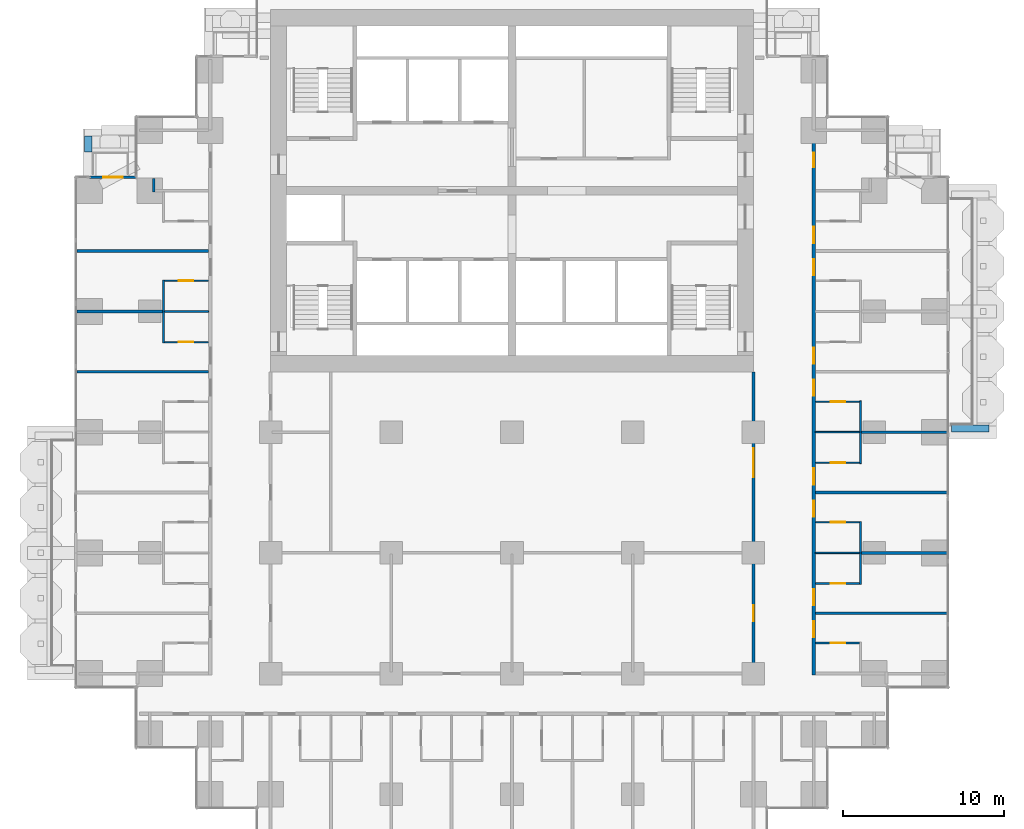
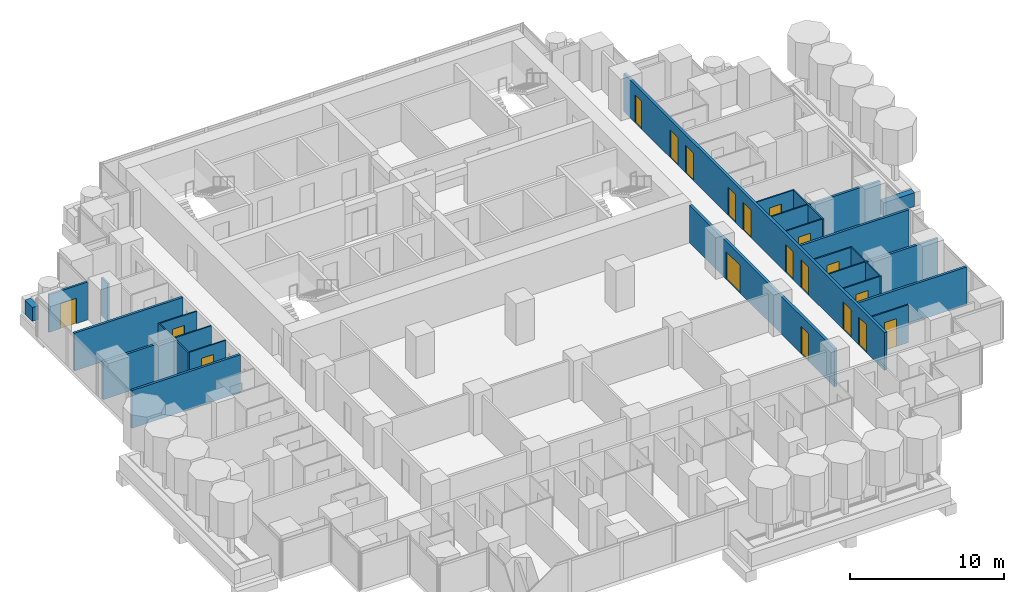
# One storey, part 13 of 19: 26 walls, 19 doors, 19 openings.
"""IFC4 building model written with IfcOpenShell, lengths in metres."""

import ifcopenshell
import ifcopenshell.guid

model = None  # the IFC model being written
_history = None  # IfcOwnerHistory: only IFC2X3 demands one
_inside = {}  # id of a spatial element -> (the spatial element, [elements in it])
_under = {}  # id of a project, library or spatial element -> (it, [spatial elements below it])
_declared = {}  # id of a project -> (the project, [libraries it declares])
_typed = {}  # id of a type object -> (the type object, [elements of that type])
_made_of = {}  # id of a material, layer set ... -> (it, [elements and type objects made of it])


def new_model(schema):
    """Start an empty IFC model of exactly this schema.

    Asked for "IFC4X3", IfcOpenShell would pick the latest addendum, in which some entities
    have other attributes; the version numbers below select the first issue.
    IFC2X3 requires an IfcOwnerHistory on every rooted entity: one is made here for all.
    """
    global model, _history
    if schema == "IFC4X3":
        model = ifcopenshell.file(schema_version=(4, 3, 0, 0))
    else:
        model = ifcopenshell.file(schema=schema)
    _inside.clear()
    _under.clear()
    _declared.clear()
    _typed.clear()
    _made_of.clear()
    _history = None
    if model.schema == "IFC2X3":
        org = make("IfcOrganization", Name="unknown")
        user = make(
            "IfcPersonAndOrganization",
            ThePerson=make("IfcPerson", FamilyName="unknown"),
            TheOrganization=org,
        )
        app = make(
            "IfcApplication",
            ApplicationDeveloper=org,
            Version="unknown",
            ApplicationFullName="unknown",
            ApplicationIdentifier="unknown",
        )
        _history = make(
            "IfcOwnerHistory",
            OwningUser=user,
            OwningApplication=app,
            ChangeAction="ADDED",
            CreationDate=0,
        )
    return model


def make(cls, **values):
    """One entity of the class cls with the attributes given. An attribute that is None is left unset."""
    return model.create_entity(
        cls, **{name: value for name, value in values.items() if value is not None}
    )


def rooted(cls, **values):
    """An entity with a GlobalId (a new one), such as an element, a storey or a relation."""
    return make(cls, GlobalId=ifcopenshell.guid.new(), OwnerHistory=_history, **values)


def si_unit(unit_type, name, prefix=None):
    """IfcSIUnit, for example si_unit("LENGTHUNIT", "METRE", prefix="MILLI")."""
    return make("IfcSIUnit", UnitType=unit_type, Prefix=prefix, Name=name)


def assignment(units):
    """IfcUnitAssignment: the units of a project."""
    return None if units is None else make("IfcUnitAssignment", Units=units)


def point(xyz):
    """IfcCartesianPoint."""
    return None if xyz is None else make("IfcCartesianPoint", Coordinates=xyz)


def direction(xyz):
    """IfcDirection."""
    return None if xyz is None else make("IfcDirection", DirectionRatios=xyz)


def frame(location, z_axis=None, x_axis=None):
    """IfcAxis2Placement3D, a coordinate frame: its origin and axes. An axis left out is left unset."""
    return make(
        "IfcAxis2Placement3D",
        Location=point(location),
        Axis=direction(z_axis),
        RefDirection=direction(x_axis),
    )


def frame_2d(location, x_axis=None):
    """IfcAxis2Placement2D, a coordinate frame in the plane: its origin and x axis."""
    return make(
        "IfcAxis2Placement2D", Location=point(location), RefDirection=direction(x_axis)
    )


def origin():
    """The frame at (0, 0, 0) with its axes left unset."""
    return frame((0.0, 0.0, 0.0))


def place(relative_to, where):
    """IfcLocalPlacement: puts the frame where relative to a parent placement (None: the world)."""
    return make(
        "IfcLocalPlacement", PlacementRelTo=relative_to, RelativePlacement=where
    )


def context(
    kind, dimensions, precision=None, world=None, true_north=None, identifier=None
):
    """IfcGeometricRepresentationContext, for example the 3D "Model" context."""
    return make(
        "IfcGeometricRepresentationContext",
        ContextIdentifier=identifier,
        ContextType=kind,
        CoordinateSpaceDimension=dimensions,
        Precision=precision,
        WorldCoordinateSystem=world,
        TrueNorth=true_north,
    )


def subcontext(parent, identifier, kind, view, scale=None):
    """IfcGeometricRepresentationSubContext, for example "Body" below "Model"."""
    return make(
        "IfcGeometricRepresentationSubContext",
        ContextIdentifier=identifier,
        ContextType=kind,
        ParentContext=parent,
        TargetScale=scale,
        TargetView=view,
    )


def project(units=None, contexts=None):
    """IfcProject with its units and contexts."""
    return rooted(
        "IfcProject",
        Name="project",
        RepresentationContexts=contexts,
        UnitsInContext=assignment(units),
    )


def spatial(cls, under=None, at=None, **own):
    """A site, building, storey or space (cls), placed at a placement, below another one or the project."""
    s = rooted(cls, ObjectPlacement=at, **own)
    if under is not None:
        _under.setdefault(under.id(), (under, []))[1].append(s)
    return s


def profile(cls, at=None, kind="AREA", **sizes):
    """A parametric profile (cls). Its sizes go by their IFC names, for example OverallWidth=200.0."""
    return make(cls, ProfileType=kind, Position=at, **sizes)


def rectangle(**sizes):
    """IfcRectangleProfileDef."""
    return profile("IfcRectangleProfileDef", **sizes)


def extrude(swept, where, along, depth):
    """IfcExtrudedAreaSolid: the profile swept, set in the frame where, extruded along a direction by depth."""
    return make(
        "IfcExtrudedAreaSolid",
        SweptArea=swept,
        Position=where,
        ExtrudedDirection=direction(along),
        Depth=depth,
    )


def shape(context_of_items, identifier, shape_type, items):
    """IfcShapeRepresentation: the items that make up one representation, for example the "Body"."""
    return make(
        "IfcShapeRepresentation",
        ContextOfItems=context_of_items,
        RepresentationIdentifier=identifier,
        RepresentationType=shape_type,
        Items=items,
    )


def material(Name=None, Category=None):
    """IfcMaterial."""
    return make("IfcMaterial", Name=Name, Category=Category)


def layer(
    of_material, thickness, ventilated=None, Name=None, Category=None, Priority=None
):
    """IfcMaterialLayer: one layer of a wall or slab, of a material (None: an air gap)."""
    return make(
        "IfcMaterialLayer",
        Material=of_material,
        LayerThickness=thickness,
        IsVentilated=ventilated,
        Name=Name,
        Category=Category,
        Priority=Priority,
    )


def layer_set(layers, Name=None):
    """IfcMaterialLayerSet."""
    return make("IfcMaterialLayerSet", MaterialLayers=layers, LayerSetName=Name)


def made_of(thing, what):
    """Note that an element or type object is made of a material, layer set ...; save() writes the relation."""
    if what is not None:
        _made_of.setdefault(what.id(), (what, []))[1].append(thing)
    return thing


def type_object(cls, material=None, **own):
    """A type object (cls), such as IfcWallType, which elements share."""
    return made_of(rooted(cls, **own), material)


def element(
    cls,
    number,
    at=None,
    inside=None,
    cuts=None,
    type_object=None,
    material=None,
    context=None,
    identifier="Body",
    shape_type=None,
    held_by="IfcProductDefinitionShape",
    body=None,
    shapes=None,
    **own,
):
    """One element of the class cls, such as IfcWall. Its Tag is "e" and its number.

    at: its placement. inside: the storey or other place that contains it. cuts: it is an
    opening in that element (IfcRelVoidsElement). A single representation is given by context,
    identifier, shape_type and body (its items); several are given by shapes. held_by: the class
    of the entity that holds the representations. save() writes the other relations.
    """
    e = rooted(cls, Tag="e%d" % number, ObjectPlacement=at, **own)
    if body is not None:
        shapes = [shape(context, identifier, shape_type, body)]
    if shapes is not None:
        e.Representation = make(held_by, Representations=shapes)
    if inside is not None:
        _inside.setdefault(inside.id(), (inside, []))[1].append(e)
    if cuts is not None:
        rooted(
            "IfcRelVoidsElement", RelatingBuildingElement=cuts, RelatedOpeningElement=e
        )
    if type_object is not None:
        _typed.setdefault(type_object.id(), (type_object, []))[1].append(e)
    return made_of(e, material)


def fill(opening, filler):
    """IfcRelFillsElement: the door or window that sits in an opening."""
    return rooted(
        "IfcRelFillsElement",
        RelatingOpeningElement=opening,
        RelatedBuildingElement=filler,
    )


def aggregate(whole, parts):
    """IfcRelAggregates: a whole, such as a stair, and the parts it consists of."""
    return rooted("IfcRelAggregates", RelatingObject=whole, RelatedObjects=parts)


def save(model, path):
    """Write the relations noted so far, then the file.

    IfcRelAggregates (storeys below a building ...), IfcRelContainedInSpatialStructure (elements
    in a storey), IfcRelDefinesByType, IfcRelAssociatesMaterial and IfcRelDeclares: one each for
    every whole, place, type object, material and project.
    """
    for whole, parts in _under.values():
        aggregate(whole, parts)
    for where, things in _inside.values():
        rooted(
            "IfcRelContainedInSpatialStructure",
            RelatedElements=things,
            RelatingStructure=where,
        )
    for kind, things in _typed.values():
        rooted("IfcRelDefinesByType", RelatedObjects=things, RelatingType=kind)
    for what, things in _made_of.values():
        rooted("IfcRelAssociatesMaterial", RelatedObjects=things, RelatingMaterial=what)
    for by, libraries in _declared.values():
        rooted("IfcRelDeclares", RelatingContext=by, RelatedDefinitions=libraries)
    model.write(path)


model = new_model("IFC4")

# Units and contexts
model_context = context("Model", 3, precision=1e-05, world=origin(), true_north=direction((0.0, 1.0)))
body_context = subcontext(model_context, "Body", "Model", "MODEL_VIEW")
ifc_project = project(units=[si_unit("LENGTHUNIT", "METRE"), si_unit("AREAUNIT", "SQUARE_METRE"), si_unit("VOLUMEUNIT", "CUBIC_METRE"), si_unit("PLANEANGLEUNIT", "RADIAN"), si_unit("MASSUNIT", "GRAM", prefix="KILO")], contexts=[model_context])

# Site, building, storey
site_placement = place(None, origin())
site = spatial("IfcSite", under=ifc_project, at=site_placement, CompositionType="ELEMENT")
building_placement = place(site_placement, origin())
building = spatial("IfcBuilding", under=site, at=building_placement, Name="Pilkhan Gate Tower", CompositionType="ELEMENT")
storey_placement = place(building_placement, frame((0.0, 0.0, 39.5)))
storey = spatial("IfcBuildingStorey", under=building, at=storey_placement, Name="L06", CompositionType="ELEMENT", Elevation=39.5)

# Walls
ifc_material_1 = material(Name="Dense blockwork", Category="masonry")
ifc_layer_1 = layer(ifc_material_1, 0.175048828125)
ifc_layer_set_1 = layer_set([ifc_layer_1], Name="Acoustic party wall PW175")
wall_type_1 = type_object("IfcWallType", Name="Acoustic party wall PW175", PredefinedType="PARTITIONING", material=ifc_layer_set_1)
wall_1_placement = place(storey_placement, frame((93.85009765625, 56.25, 0.0), z_axis=(0.0, 0.0, 1.0), x_axis=(1.0, 0.0, 0.0)))
element("IfcWall", 1, at=wall_1_placement, inside=storey, type_object=wall_type_1, Name="Partition L06", PredefinedType="PARTITIONING", context=body_context, shape_type="SweptSolid", body=[
    extrude(rectangle(XDim=8.164794921875, YDim=0.175048828125, at=frame_2d((4.08251953125, 0.0))), origin(), (0.0, 0.0, 1.0), 3.0),
])
wall_2_placement = place(storey_placement, frame((96.699951171875, 60.0, 0.0), z_axis=(0.0, 0.0, 1.0), x_axis=(1.0, 0.0, 0.0)))
element("IfcWall", 2, at=wall_2_placement, inside=storey, type_object=wall_type_1, Name="Partition L06", PredefinedType="PARTITIONING", context=body_context, shape_type="SweptSolid", body=[
    extrude(rectangle(XDim=5.31494140625, YDim=0.175048828125, at=frame_2d((2.657470703125, 0.0))), origin(), (0.0, 0.0, 1.0), 3.0),
])
wall_3_placement = place(storey_placement, frame((93.85009765625, 63.75, 0.0), z_axis=(0.0, 0.0, 1.0), x_axis=(1.0, 0.0, 0.0)))
element("IfcWall", 3, at=wall_3_placement, inside=storey, type_object=wall_type_1, Name="Partition L06", PredefinedType="PARTITIONING", context=body_context, shape_type="SweptSolid", body=[
    extrude(rectangle(XDim=8.164794921875, YDim=0.175048828125, at=frame_2d((4.08251953125, 0.0))), origin(), (0.0, 0.0, 1.0), 3.0),
])
wall_4_placement = place(storey_placement, frame((96.699951171875, 67.5, 0.0), z_axis=(0.0, 0.0, 1.0), x_axis=(1.0, 0.0, 0.0)))
element("IfcWall", 4, at=wall_4_placement, inside=storey, type_object=wall_type_1, Name="Partition L06", PredefinedType="PARTITIONING", context=body_context, shape_type="SweptSolid", body=[
    extrude(rectangle(XDim=5.31494140625, YDim=0.175048828125, at=frame_2d((2.657470703125, 0.0))), origin(), (0.0, 0.0, 1.0), 3.0),
])
wall_5_placement = place(storey_placement, frame((47.985107421875, 71.25, 0.0), z_axis=(0.0, 0.0, 1.0), x_axis=(1.0, 0.0, 0.0)))
element("IfcWall", 5, at=wall_5_placement, inside=storey, type_object=wall_type_1, Name="Partition L06", PredefinedType="PARTITIONING", context=body_context, shape_type="SweptSolid", body=[
    extrude(rectangle(XDim=8.164794921875, YDim=0.175048828125, at=frame_2d((4.08251953125, 0.0))), origin(), (0.0, 0.0, 1.0), 3.0),
])
wall_6_placement = place(storey_placement, frame((47.985107421875, 75.0, 0.0), z_axis=(0.0, 0.0, 1.0), x_axis=(1.0, 0.0, 0.0)))
element("IfcWall", 6, at=wall_6_placement, inside=storey, type_object=wall_type_1, Name="Partition L06", PredefinedType="PARTITIONING", context=body_context, shape_type="SweptSolid", body=[
    extrude(rectangle(XDim=5.31494140625, YDim=0.175048828125, at=frame_2d((2.657470703125, 0.0))), origin(), (0.0, 0.0, 1.0), 3.0),
])
wall_7_placement = place(storey_placement, frame((47.985107421875, 78.75, 0.0), z_axis=(0.0, 0.0, 1.0), x_axis=(1.0, 0.0, 0.0)))
element("IfcWall", 7, at=wall_7_placement, inside=storey, type_object=wall_type_1, Name="Partition L06", PredefinedType="PARTITIONING", context=body_context, shape_type="SweptSolid", body=[
    extrude(rectangle(XDim=8.164794921875, YDim=0.175048828125, at=frame_2d((4.08251953125, 0.0))), origin(), (0.0, 0.0, 1.0), 3.0),
])
ifc_material_2 = material(Name="Board-marked Concrete C40/50", Category="concrete")
ifc_layer_2 = layer(ifc_material_2, 0.449951171875)
ifc_layer_set_2 = layer_set([ifc_layer_2], Name="Balcony planter lip BL450")
wall_type_2 = type_object("IfcWallType", Name="Balcony planter lip BL450", PredefinedType="USERDEFINED", material=ifc_layer_set_2)
wall_8_placement = place(storey_placement, frame((102.320068359375, 67.72509765625, 0.0), z_axis=(0.0, 0.0, 1.0), x_axis=(1.0, 0.0, 0.0)))
element("IfcWall", 8, at=wall_8_placement, inside=storey, type_object=wall_type_2, Name="Balcony planter L06 E", ObjectType="BALCONY PLANTER", PredefinedType="USERDEFINED", context=body_context, shape_type="SweptSolid", body=[
    extrude(rectangle(XDim=2.329833984375, YDim=0.449951171875, at=frame_2d((1.1650390625, 0.0))), origin(), (0.0, 0.0, 1.0), 1.10009765625),
])
wall_9_placement = place(storey_placement, frame((48.675048828125, 84.89990234375, 0.0), z_axis=(0.0, 0.0, 1.0), x_axis=(0.0, 1.0, 0.0)))
element("IfcWall", 9, at=wall_9_placement, inside=storey, type_object=wall_type_2, Name="Balcony planter L06 N", ObjectType="BALCONY PLANTER", PredefinedType="USERDEFINED", context=body_context, shape_type="SweptSolid", body=[
    extrude(rectangle(XDim=1.0, YDim=0.449951171875, at=frame_2d((0.5, 0.0))), origin(), (0.0, 0.0, 1.0), 1.10009765625),
])

# Wall, openings, doors
ifc_layer_3 = layer(ifc_material_1, 0.199951171875)
ifc_layer_set_3 = layer_set([ifc_layer_3], Name="Corridor wall FW200")
wall_type_3 = type_object("IfcWallType", Name="Corridor wall FW200", PredefinedType="PARTITIONING", material=ifc_layer_set_3)
wall_10_placement = place(storey_placement, frame((90.0, 52.39990234375, 0.0), z_axis=(0.0, 0.0, 1.0), x_axis=(0.0, 1.0, 0.0)))
wall_10 = element("IfcWall", 10, at=wall_10_placement, inside=storey, type_object=wall_type_3, Name="Partition L06", PredefinedType="PARTITIONING", context=body_context, shape_type="SweptSolid", body=[
    extrude(rectangle(XDim=18.840087890625, YDim=0.199951171875, at=frame_2d((9.419921875, 0.0))), origin(), (0.0, 0.0, 1.0), 3.0),
])
opening_1_placement = place(wall_10_placement, frame((3.35009765625, 0.0, 0.0)))
opening_1 = element("IfcOpeningElement", 11, at=opening_1_placement, cuts=wall_10, Name="Opening L06-70", PredefinedType="OPENING", context=body_context, shape_type="SweptSolid", body=[
    extrude(rectangle(XDim=1.0, YDim=2.199951171875, at=frame_2d((0.5, 1.10009765625))), frame((0.0, 0.10986328125, 0.0), z_axis=(0.0, -1.0, 0.0), x_axis=(1.0, 0.0, 0.0)), (0.0, 0.0, 1.0), 0.219970703125),
])
opening_2_placement = place(wall_10_placement, frame((12.300048828125, 0.0, 0.0)))
opening_2 = element("IfcOpeningElement", 12, at=opening_2_placement, cuts=wall_10, Name="Opening L06-73", PredefinedType="OPENING", context=body_context, shape_type="SweptSolid", body=[
    extrude(rectangle(XDim=1.800048828125, YDim=2.199951171875, at=frame_2d((0.89990234375, 1.10009765625))), frame((0.0, 0.10986328125, 0.0), z_axis=(0.0, -1.0, 0.0), x_axis=(1.0, 0.0, 0.0)), (0.0, 0.0, 1.0), 0.219970703125),
])
ifc_material_3 = material(Name="Timber glazed double door, 30 minute fire resisting", Category="wood")
door_type_1 = type_object("IfcDoorType", Name="Double door D04 1800x2200", OperationType="DOUBLE_DOOR_SINGLE_SWING", PredefinedType="DOOR", material=ifc_material_3)
door_1_placement = place(opening_2_placement, origin())
door_1 = element("IfcDoor", 13, at=door_1_placement, inside=storey, type_object=door_type_1, Name="Double door", OperationType="DOUBLE_DOOR_SINGLE_SWING", OverallHeight=2.199951171875, OverallWidth=1.800048828125, PredefinedType="DOOR", context=body_context, shape_type="SweptSolid", body=[
    extrude(rectangle(XDim=1.800048828125, YDim=2.199951171875, at=frame_2d((0.89990234375, 1.10009765625))), frame((0.0, 0.02490234375, 0.0), z_axis=(0.0, -1.0, 0.0), x_axis=(1.0, 0.0, 0.0)), (0.0, 0.0, 1.0), 0.050048828125),
])
fill(opening_2, door_1)
ifc_material_4 = material(Name="Timber flush door, 30 minute fire resisting", Category="wood")
door_type_2 = type_object("IfcDoorType", Name="Room door D03 1000x2200", OperationType="SINGLE_SWING_LEFT", PredefinedType="DOOR", material=ifc_material_4)
door_2_placement = place(opening_1_placement, origin())
door_2 = element("IfcDoor", 14, at=door_2_placement, inside=storey, type_object=door_type_2, Name="Room door", OperationType="SINGLE_SWING_LEFT", OverallHeight=2.199951171875, OverallWidth=1.0, PredefinedType="DOOR", context=body_context, shape_type="SweptSolid", body=[
    extrude(rectangle(XDim=1.0, YDim=2.199951171875, at=frame_2d((0.5, 1.10009765625))), frame((0.0, 0.02490234375, 0.0), z_axis=(0.0, -1.0, 0.0), x_axis=(1.0, 0.0, 0.0)), (0.0, 0.0, 1.0), 0.050048828125),
])
fill(opening_1, door_2)

wall_11_placement = place(storey_placement, frame((93.75, 52.39990234375, 0.0), z_axis=(0.0, 0.0, 1.0), x_axis=(0.0, 1.0, 0.0)))
wall_11 = element("IfcWall", 15, at=wall_11_placement, inside=storey, type_object=wall_type_3, Name="Partition L06", PredefinedType="PARTITIONING", context=body_context, shape_type="SweptSolid", body=[
    extrude(rectangle(XDim=33.925048828125, YDim=0.199951171875, at=frame_2d((16.96240234375, 0.0))), origin(), (0.0, 0.0, 1.0), 3.0),
])
opening_3_placement = place(wall_11_placement, frame((2.35009765625, 0.0, 0.0)))
opening_3 = element("IfcOpeningElement", 16, at=opening_3_placement, cuts=wall_11, Name="Opening L06-42", PredefinedType="OPENING", context=body_context, shape_type="SweptSolid", body=[
    extrude(rectangle(XDim=1.0, YDim=2.199951171875, at=frame_2d((0.5, 1.10009765625))), frame((0.0, 0.10986328125, 0.0), z_axis=(0.0, -1.0, 0.0), x_axis=(1.0, 0.0, 0.0)), (0.0, 0.0, 1.0), 0.219970703125),
])
opening_4_placement = place(wall_11_placement, frame((4.35009765625, 0.0, 0.0)))
opening_4 = element("IfcOpeningElement", 17, at=opening_4_placement, cuts=wall_11, Name="Opening L06-44", PredefinedType="OPENING", context=body_context, shape_type="SweptSolid", body=[
    extrude(rectangle(XDim=1.0, YDim=2.199951171875, at=frame_2d((0.5, 1.10009765625))), frame((0.0, 0.10986328125, 0.0), z_axis=(0.0, -1.0, 0.0), x_axis=(1.0, 0.0, 0.0)), (0.0, 0.0, 1.0), 0.219970703125),
])
opening_5_placement = place(wall_11_placement, frame((9.85009765625, 0.0, 0.0)))
opening_5 = element("IfcOpeningElement", 18, at=opening_5_placement, cuts=wall_11, Name="Opening L06-46", PredefinedType="OPENING", context=body_context, shape_type="SweptSolid", body=[
    extrude(rectangle(XDim=1.0, YDim=2.199951171875, at=frame_2d((0.5, 1.10009765625))), frame((0.0, 0.10986328125, 0.0), z_axis=(0.0, -1.0, 0.0), x_axis=(1.0, 0.0, 0.0)), (0.0, 0.0, 1.0), 0.219970703125),
])
opening_6_placement = place(wall_11_placement, frame((11.85009765625, 0.0, 0.0)))
opening_6 = element("IfcOpeningElement", 19, at=opening_6_placement, cuts=wall_11, Name="Opening L06-48", PredefinedType="OPENING", context=body_context, shape_type="SweptSolid", body=[
    extrude(rectangle(XDim=1.0, YDim=2.199951171875, at=frame_2d((0.5, 1.10009765625))), frame((0.0, 0.10986328125, 0.0), z_axis=(0.0, -1.0, 0.0), x_axis=(1.0, 0.0, 0.0)), (0.0, 0.0, 1.0), 0.219970703125),
])
opening_7_placement = place(wall_11_placement, frame((17.35009765625, 0.0, 0.0)))
opening_7 = element("IfcOpeningElement", 20, at=opening_7_placement, cuts=wall_11, Name="Opening L06-50", PredefinedType="OPENING", context=body_context, shape_type="SweptSolid", body=[
    extrude(rectangle(XDim=1.0, YDim=2.199951171875, at=frame_2d((0.5, 1.10009765625))), frame((0.0, 0.10986328125, 0.0), z_axis=(0.0, -1.0, 0.0), x_axis=(1.0, 0.0, 0.0)), (0.0, 0.0, 1.0), 0.219970703125),
])
opening_8_placement = place(wall_11_placement, frame((19.35009765625, 0.0, 0.0)))
opening_8 = element("IfcOpeningElement", 21, at=opening_8_placement, cuts=wall_11, Name="Opening L06-52", PredefinedType="OPENING", context=body_context, shape_type="SweptSolid", body=[
    extrude(rectangle(XDim=1.0, YDim=2.199951171875, at=frame_2d((0.5, 1.10009765625))), frame((0.0, 0.10986328125, 0.0), z_axis=(0.0, -1.0, 0.0), x_axis=(1.0, 0.0, 0.0)), (0.0, 0.0, 1.0), 0.219970703125),
])
opening_9_placement = place(wall_11_placement, frame((24.85009765625, 0.0, 0.0)))
opening_9 = element("IfcOpeningElement", 22, at=opening_9_placement, cuts=wall_11, Name="Opening L06-54", PredefinedType="OPENING", context=body_context, shape_type="SweptSolid", body=[
    extrude(rectangle(XDim=1.0, YDim=2.199951171875, at=frame_2d((0.5, 1.10009765625))), frame((0.0, 0.10986328125, 0.0), z_axis=(0.0, -1.0, 0.0), x_axis=(1.0, 0.0, 0.0)), (0.0, 0.0, 1.0), 0.219970703125),
])
opening_10_placement = place(wall_11_placement, frame((26.85009765625, 0.0, 0.0)))
opening_10 = element("IfcOpeningElement", 23, at=opening_10_placement, cuts=wall_11, Name="Opening L06-56", PredefinedType="OPENING", context=body_context, shape_type="SweptSolid", body=[
    extrude(rectangle(XDim=1.0, YDim=2.199951171875, at=frame_2d((0.5, 1.10009765625))), frame((0.0, 0.10986328125, 0.0), z_axis=(0.0, -1.0, 0.0), x_axis=(1.0, 0.0, 0.0)), (0.0, 0.0, 1.0), 0.219970703125),
])
opening_11_placement = place(wall_11_placement, frame((31.550048828125, 0.0, 0.0)))
opening_11 = element("IfcOpeningElement", 24, at=opening_11_placement, cuts=wall_11, Name="Opening L06-66", PredefinedType="OPENING", context=body_context, shape_type="SweptSolid", body=[
    extrude(rectangle(XDim=0.89990234375, YDim=2.199951171875, at=frame_2d((0.449951171875, 1.10009765625))), frame((0.0, 0.10986328125, 0.0), z_axis=(0.0, -1.0, 0.0), x_axis=(1.0, 0.0, 0.0)), (0.0, 0.0, 1.0), 0.219970703125),
])
door_type_3 = type_object("IfcDoorType", Name="Guest room door D01 1000x2200", OperationType="SINGLE_SWING_LEFT", PredefinedType="DOOR", material=ifc_material_4)
door_3_placement = place(opening_3_placement, origin())
door_3 = element("IfcDoor", 25, at=door_3_placement, inside=storey, type_object=door_type_3, Name="Guest room door", OperationType="SINGLE_SWING_LEFT", OverallHeight=2.199951171875, OverallWidth=1.0, PredefinedType="DOOR", context=body_context, shape_type="SweptSolid", body=[
    extrude(rectangle(XDim=1.0, YDim=2.199951171875, at=frame_2d((0.5, 1.10009765625))), frame((0.0, 0.02490234375, 0.0), z_axis=(0.0, -1.0, 0.0), x_axis=(1.0, 0.0, 0.0)), (0.0, 0.0, 1.0), 0.050048828125),
])
fill(opening_3, door_3)
door_4_placement = place(opening_4_placement, origin())
door_4 = element("IfcDoor", 26, at=door_4_placement, inside=storey, type_object=door_type_3, Name="Guest room door", OperationType="SINGLE_SWING_RIGHT", OverallHeight=2.199951171875, OverallWidth=1.0, PredefinedType="DOOR", context=body_context, shape_type="SweptSolid", body=[
    extrude(rectangle(XDim=1.0, YDim=2.199951171875, at=frame_2d((0.5, 1.10009765625))), frame((0.0, 0.02490234375, 0.0), z_axis=(0.0, -1.0, 0.0), x_axis=(1.0, 0.0, 0.0)), (0.0, 0.0, 1.0), 0.050048828125),
])
fill(opening_4, door_4)
door_5_placement = place(opening_5_placement, origin())
door_5 = element("IfcDoor", 27, at=door_5_placement, inside=storey, type_object=door_type_3, Name="Guest room door", OperationType="SINGLE_SWING_RIGHT", OverallHeight=2.199951171875, OverallWidth=1.0, PredefinedType="DOOR", context=body_context, shape_type="SweptSolid", body=[
    extrude(rectangle(XDim=1.0, YDim=2.199951171875, at=frame_2d((0.5, 1.10009765625))), frame((0.0, 0.02490234375, 0.0), z_axis=(0.0, -1.0, 0.0), x_axis=(1.0, 0.0, 0.0)), (0.0, 0.0, 1.0), 0.050048828125),
])
fill(opening_5, door_5)
door_6_placement = place(opening_6_placement, origin())
door_6 = element("IfcDoor", 28, at=door_6_placement, inside=storey, type_object=door_type_3, Name="Guest room door", OperationType="SINGLE_SWING_LEFT", OverallHeight=2.199951171875, OverallWidth=1.0, PredefinedType="DOOR", context=body_context, shape_type="SweptSolid", body=[
    extrude(rectangle(XDim=1.0, YDim=2.199951171875, at=frame_2d((0.5, 1.10009765625))), frame((0.0, 0.02490234375, 0.0), z_axis=(0.0, -1.0, 0.0), x_axis=(1.0, 0.0, 0.0)), (0.0, 0.0, 1.0), 0.050048828125),
])
fill(opening_6, door_6)
door_7_placement = place(opening_7_placement, origin())
door_7 = element("IfcDoor", 29, at=door_7_placement, inside=storey, type_object=door_type_3, Name="Guest room door", OperationType="SINGLE_SWING_RIGHT", OverallHeight=2.199951171875, OverallWidth=1.0, PredefinedType="DOOR", context=body_context, shape_type="SweptSolid", body=[
    extrude(rectangle(XDim=1.0, YDim=2.199951171875, at=frame_2d((0.5, 1.10009765625))), frame((0.0, 0.02490234375, 0.0), z_axis=(0.0, -1.0, 0.0), x_axis=(1.0, 0.0, 0.0)), (0.0, 0.0, 1.0), 0.050048828125),
])
fill(opening_7, door_7)
door_8_placement = place(opening_8_placement, origin())
door_8 = element("IfcDoor", 30, at=door_8_placement, inside=storey, type_object=door_type_3, Name="Guest room door", OperationType="SINGLE_SWING_RIGHT", OverallHeight=2.199951171875, OverallWidth=1.0, PredefinedType="DOOR", context=body_context, shape_type="SweptSolid", body=[
    extrude(rectangle(XDim=1.0, YDim=2.199951171875, at=frame_2d((0.5, 1.10009765625))), frame((0.0, 0.02490234375, 0.0), z_axis=(0.0, -1.0, 0.0), x_axis=(1.0, 0.0, 0.0)), (0.0, 0.0, 1.0), 0.050048828125),
])
fill(opening_8, door_8)
door_9_placement = place(opening_9_placement, origin())
door_9 = element("IfcDoor", 31, at=door_9_placement, inside=storey, type_object=door_type_3, Name="Guest room door", OperationType="SINGLE_SWING_LEFT", OverallHeight=2.199951171875, OverallWidth=1.0, PredefinedType="DOOR", context=body_context, shape_type="SweptSolid", body=[
    extrude(rectangle(XDim=1.0, YDim=2.199951171875, at=frame_2d((0.5, 1.10009765625))), frame((0.0, 0.02490234375, 0.0), z_axis=(0.0, -1.0, 0.0), x_axis=(1.0, 0.0, 0.0)), (0.0, 0.0, 1.0), 0.050048828125),
])
fill(opening_9, door_9)
door_10_placement = place(opening_10_placement, origin())
door_10 = element("IfcDoor", 32, at=door_10_placement, inside=storey, type_object=door_type_3, Name="Guest room door", OperationType="SINGLE_SWING_LEFT", OverallHeight=2.199951171875, OverallWidth=1.0, PredefinedType="DOOR", context=body_context, shape_type="SweptSolid", body=[
    extrude(rectangle(XDim=1.0, YDim=2.199951171875, at=frame_2d((0.5, 1.10009765625))), frame((0.0, 0.02490234375, 0.0), z_axis=(0.0, -1.0, 0.0), x_axis=(1.0, 0.0, 0.0)), (0.0, 0.0, 1.0), 0.050048828125),
])
fill(opening_10, door_10)
ifc_material_5 = material(Name="Timber flush door, 60 minute fire resisting, self-closing", Category="wood")
door_type_4 = type_object("IfcDoorType", Name="Store door D05 900x2200", OperationType="SINGLE_SWING_LEFT", PredefinedType="DOOR", material=ifc_material_5)
door_11_placement = place(opening_11_placement, origin())
door_11 = element("IfcDoor", 33, at=door_11_placement, inside=storey, type_object=door_type_4, Name="Store door", OperationType="SINGLE_SWING_RIGHT", OverallHeight=2.199951171875, OverallWidth=0.89990234375, PredefinedType="DOOR", context=body_context, shape_type="SweptSolid", body=[
    extrude(rectangle(XDim=0.89990234375, YDim=2.199951171875, at=frame_2d((0.449951171875, 1.10009765625))), frame((0.0, 0.02490234375, 0.0), z_axis=(0.0, -1.0, 0.0), x_axis=(1.0, 0.0, 0.0)), (0.0, 0.0, 1.0), 0.050048828125),
])
fill(opening_11, door_11)

# Wall, opening, door
ifc_material_6 = material(Name="Pale anodised aluminium, clear laminated glazing", Category="aluminium")
ifc_layer_4 = layer(ifc_material_6, 0.14990234375)
ifc_layer_set_4 = layer_set([ifc_layer_4], Name="Facade infill wall IW150")
wall_type_4 = type_object("IfcWallType", Name="Facade infill wall IW150", PredefinedType="SOLIDWALL", material=ifc_layer_set_4)
wall_12_placement = place(storey_placement, frame((48.75, 83.344970703125, 0.0), z_axis=(0.0, 0.0, 1.0), x_axis=(1.0, 0.0, 0.0)))
wall_12 = element("IfcWall", 34, at=wall_12_placement, inside=storey, type_object=wall_type_4, Name="Infill wall L06 N", PredefinedType="SOLIDWALL", context=body_context, shape_type="SweptSolid", body=[
    extrude(rectangle(XDim=2.905029296875, YDim=0.14990234375, at=frame_2d((1.45263671875, 0.0))), origin(), (0.0, 0.0, 1.0), 3.0),
])
opening_12_placement = place(wall_12_placement, frame((0.8525390625, 0.0, 0.0)))
opening_12 = element("IfcOpeningElement", 35, at=opening_12_placement, cuts=wall_12, Name="Opening D1L", PredefinedType="OPENING", context=body_context, shape_type="SweptSolid", body=[
    extrude(rectangle(XDim=1.199951171875, YDim=2.0, at=frame_2d((0.60009765625, 1.0))), frame((0.0, 0.0849609375, 0.0), z_axis=(0.0, -1.0, 0.0), x_axis=(1.0, 0.0, 0.0)), (0.0, 0.0, 1.0), 0.169921875),
])
ifc_material_7 = material(Name="Pale anodised aluminium, clear glazing", Category="aluminium")
door_type_5 = type_object("IfcDoorType", Name="Balcony door D1L 1200x2000", OperationType="SINGLE_SWING_LEFT", PredefinedType="DOOR", material=ifc_material_7)
door_12_placement = place(opening_12_placement, origin())
door_12 = element("IfcDoor", 36, at=door_12_placement, inside=storey, type_object=door_type_5, Name="Balcony door L06", OperationType="SINGLE_SWING_LEFT", OverallHeight=2.0, OverallWidth=1.199951171875, PredefinedType="DOOR", context=body_context, shape_type="SweptSolid", body=[
    extrude(rectangle(XDim=1.199951171875, YDim=2.0, at=frame_2d((0.60009765625, 1.0))), frame((0.0, 0.02490234375, 0.0), z_axis=(0.0, -1.0, 0.0), x_axis=(1.0, 0.0, 0.0)), (0.0, 0.0, 1.0), 0.050048828125),
])
fill(opening_12, door_12)

# Wall
ifc_material_8 = material(Name="Blockwork partition, plastered both sides", Category="masonry")
ifc_layer_5 = layer(ifc_material_8, 0.14990234375)
ifc_layer_set_5 = layer_set([ifc_layer_5], Name="Partition PW150")
wall_type_5 = type_object("IfcWallType", Name="Partition PW150", PredefinedType="PARTITIONING", material=ifc_layer_set_5)
wall_13_placement = place(storey_placement, frame((52.735107421875, 82.425048828125, 0.0), z_axis=(0.0, 0.0, 1.0), x_axis=(0.0, 1.0, 0.0)))
element("IfcWall", 37, at=wall_13_placement, inside=storey, type_object=wall_type_5, Name="Partition L06", PredefinedType="PARTITIONING", context=body_context, shape_type="SweptSolid", body=[
    extrude(rectangle(XDim=0.83984375, YDim=0.14990234375, at=frame_2d((0.419921875, 0.0))), origin(), (0.0, 0.0, 1.0), 3.0),
])

# Wall, opening, door
ifc_material_9 = material(Name="Moisture resistant board, tiled")
ifc_layer_6 = layer(ifc_material_9, 0.10009765625)
ifc_layer_set_6 = layer_set([ifc_layer_6], Name="Wet wall PW100")
wall_type_6 = type_object("IfcWallType", Name="Wet wall PW100", PredefinedType="PARTITIONING", material=ifc_layer_set_6)
wall_14_placement = place(storey_placement, frame((93.85009765625, 54.39990234375, 0.0), z_axis=(0.0, 0.0, 1.0), x_axis=(1.0, 0.0, 0.0)))
wall_14 = element("IfcWall", 38, at=wall_14_placement, inside=storey, type_object=wall_type_6, Name="Partition L06", PredefinedType="PARTITIONING", context=body_context, shape_type="SweptSolid", body=[
    extrude(rectangle(XDim=2.75, YDim=0.10009765625, at=frame_2d((1.375, 0.0))), origin(), (0.0, 0.0, 1.0), 3.0),
])
opening_13_placement = place(wall_14_placement, frame((0.949951171875, 0.0, 0.0)))
opening_13 = element("IfcOpeningElement", 39, at=opening_13_placement, cuts=wall_14, Name="Opening L06-43", PredefinedType="OPENING", context=body_context, shape_type="SweptSolid", body=[
    extrude(rectangle(XDim=0.89990234375, YDim=2.199951171875, at=frame_2d((0.449951171875, 1.10009765625))), frame((0.0, 0.06005859375, 0.0), z_axis=(0.0, -1.0, 0.0), x_axis=(1.0, 0.0, 0.0)), (0.0, 0.0, 1.0), 0.1201171875),
])
ifc_material_10 = material(Name="Timber flush door", Category="wood")
door_type_6 = type_object("IfcDoorType", Name="Bathroom door D02 900x2200", OperationType="SINGLE_SWING_RIGHT", PredefinedType="DOOR", material=ifc_material_10)
door_13_placement = place(opening_13_placement, origin())
door_13 = element("IfcDoor", 40, at=door_13_placement, inside=storey, type_object=door_type_6, Name="Bathroom door", OperationType="SINGLE_SWING_RIGHT", OverallHeight=2.199951171875, OverallWidth=0.89990234375, PredefinedType="DOOR", context=body_context, shape_type="SweptSolid", body=[
    extrude(rectangle(XDim=0.89990234375, YDim=2.199951171875, at=frame_2d((0.449951171875, 1.10009765625))), frame((0.0, 0.02490234375, 0.0), z_axis=(0.0, -1.0, 0.0), x_axis=(1.0, 0.0, 0.0)), (0.0, 0.0, 1.0), 0.050048828125),
])
fill(opening_13, door_13)

wall_15_placement = place(storey_placement, frame((93.85009765625, 58.10009765625, 0.0), z_axis=(0.0, 0.0, 1.0), x_axis=(1.0, 0.0, 0.0)))
wall_15 = element("IfcWall", 41, at=wall_15_placement, inside=storey, type_object=wall_type_6, Name="Partition L06", PredefinedType="PARTITIONING", context=body_context, shape_type="SweptSolid", body=[
    extrude(rectangle(XDim=2.75, YDim=0.10009765625, at=frame_2d((1.375, 0.0))), origin(), (0.0, 0.0, 1.0), 3.0),
])
opening_14_placement = place(wall_15_placement, frame((0.949951171875, 0.0, 0.0)))
opening_14 = element("IfcOpeningElement", 42, at=opening_14_placement, cuts=wall_15, Name="Opening L06-45", PredefinedType="OPENING", context=body_context, shape_type="SweptSolid", body=[
    extrude(rectangle(XDim=0.89990234375, YDim=2.199951171875, at=frame_2d((0.449951171875, 1.10009765625))), frame((0.0, 0.06005859375, 0.0), z_axis=(0.0, -1.0, 0.0), x_axis=(1.0, 0.0, 0.0)), (0.0, 0.0, 1.0), 0.1201171875),
])
door_14_placement = place(opening_14_placement, origin())
door_14 = element("IfcDoor", 43, at=door_14_placement, inside=storey, type_object=door_type_6, Name="Bathroom door", OperationType="SINGLE_SWING_RIGHT", OverallHeight=2.199951171875, OverallWidth=0.89990234375, PredefinedType="DOOR", context=body_context, shape_type="SweptSolid", body=[
    extrude(rectangle(XDim=0.89990234375, YDim=2.199951171875, at=frame_2d((0.449951171875, 1.10009765625))), frame((0.0, 0.02490234375, 0.0), z_axis=(0.0, -1.0, 0.0), x_axis=(1.0, 0.0, 0.0)), (0.0, 0.0, 1.0), 0.050048828125),
])
fill(opening_14, door_14)

# Wall
wall_16_placement = place(storey_placement, frame((93.85009765625, 60.0, 0.0), z_axis=(0.0, 0.0, 1.0), x_axis=(1.0, 0.0, 0.0)))
element("IfcWall", 44, at=wall_16_placement, inside=storey, type_object=wall_type_6, Name="Partition L06", PredefinedType="PARTITIONING", context=body_context, shape_type="SweptSolid", body=[
    extrude(rectangle(XDim=2.75, YDim=0.10009765625, at=frame_2d((1.375, 0.0))), origin(), (0.0, 0.0, 1.0), 3.0),
])

# Wall, opening, door
wall_17_placement = place(storey_placement, frame((93.85009765625, 61.89990234375, 0.0), z_axis=(0.0, 0.0, 1.0), x_axis=(1.0, 0.0, 0.0)))
wall_17 = element("IfcWall", 45, at=wall_17_placement, inside=storey, type_object=wall_type_6, Name="Partition L06", PredefinedType="PARTITIONING", context=body_context, shape_type="SweptSolid", body=[
    extrude(rectangle(XDim=2.75, YDim=0.10009765625, at=frame_2d((1.375, 0.0))), origin(), (0.0, 0.0, 1.0), 3.0),
])
opening_15_placement = place(wall_17_placement, frame((0.949951171875, 0.0, 0.0)))
opening_15 = element("IfcOpeningElement", 46, at=opening_15_placement, cuts=wall_17, Name="Opening L06-47", PredefinedType="OPENING", context=body_context, shape_type="SweptSolid", body=[
    extrude(rectangle(XDim=0.89990234375, YDim=2.199951171875, at=frame_2d((0.449951171875, 1.10009765625))), frame((0.0, 0.06005859375, 0.0), z_axis=(0.0, -1.0, 0.0), x_axis=(1.0, 0.0, 0.0)), (0.0, 0.0, 1.0), 0.1201171875),
])
door_15_placement = place(opening_15_placement, origin())
door_15 = element("IfcDoor", 47, at=door_15_placement, inside=storey, type_object=door_type_6, Name="Bathroom door", OperationType="SINGLE_SWING_RIGHT", OverallHeight=2.199951171875, OverallWidth=0.89990234375, PredefinedType="DOOR", context=body_context, shape_type="SweptSolid", body=[
    extrude(rectangle(XDim=0.89990234375, YDim=2.199951171875, at=frame_2d((0.449951171875, 1.10009765625))), frame((0.0, 0.02490234375, 0.0), z_axis=(0.0, -1.0, 0.0), x_axis=(1.0, 0.0, 0.0)), (0.0, 0.0, 1.0), 0.050048828125),
])
fill(opening_15, door_15)

wall_18_placement = place(storey_placement, frame((93.85009765625, 65.60009765625, 0.0), z_axis=(0.0, 0.0, 1.0), x_axis=(1.0, 0.0, 0.0)))
wall_18 = element("IfcWall", 48, at=wall_18_placement, inside=storey, type_object=wall_type_6, Name="Partition L06", PredefinedType="PARTITIONING", context=body_context, shape_type="SweptSolid", body=[
    extrude(rectangle(XDim=2.75, YDim=0.10009765625, at=frame_2d((1.375, 0.0))), origin(), (0.0, 0.0, 1.0), 3.0),
])
opening_16_placement = place(wall_18_placement, frame((0.949951171875, 0.0, 0.0)))
opening_16 = element("IfcOpeningElement", 49, at=opening_16_placement, cuts=wall_18, Name="Opening L06-49", PredefinedType="OPENING", context=body_context, shape_type="SweptSolid", body=[
    extrude(rectangle(XDim=0.89990234375, YDim=2.199951171875, at=frame_2d((0.449951171875, 1.10009765625))), frame((0.0, 0.06005859375, 0.0), z_axis=(0.0, -1.0, 0.0), x_axis=(1.0, 0.0, 0.0)), (0.0, 0.0, 1.0), 0.1201171875),
])
door_16_placement = place(opening_16_placement, origin())
door_16 = element("IfcDoor", 50, at=door_16_placement, inside=storey, type_object=door_type_6, Name="Bathroom door", OperationType="SINGLE_SWING_RIGHT", OverallHeight=2.199951171875, OverallWidth=0.89990234375, PredefinedType="DOOR", context=body_context, shape_type="SweptSolid", body=[
    extrude(rectangle(XDim=0.89990234375, YDim=2.199951171875, at=frame_2d((0.449951171875, 1.10009765625))), frame((0.0, 0.02490234375, 0.0), z_axis=(0.0, -1.0, 0.0), x_axis=(1.0, 0.0, 0.0)), (0.0, 0.0, 1.0), 0.050048828125),
])
fill(opening_16, door_16)

# Wall
wall_19_placement = place(storey_placement, frame((93.85009765625, 67.5, 0.0), z_axis=(0.0, 0.0, 1.0), x_axis=(1.0, 0.0, 0.0)))
element("IfcWall", 51, at=wall_19_placement, inside=storey, type_object=wall_type_6, Name="Partition L06", PredefinedType="PARTITIONING", context=body_context, shape_type="SweptSolid", body=[
    extrude(rectangle(XDim=2.75, YDim=0.10009765625, at=frame_2d((1.375, 0.0))), origin(), (0.0, 0.0, 1.0), 3.0),
])

# Wall, opening, door
wall_20_placement = place(storey_placement, frame((93.85009765625, 69.39990234375, 0.0), z_axis=(0.0, 0.0, 1.0), x_axis=(1.0, 0.0, 0.0)))
wall_20 = element("IfcWall", 52, at=wall_20_placement, inside=storey, type_object=wall_type_6, Name="Partition L06", PredefinedType="PARTITIONING", context=body_context, shape_type="SweptSolid", body=[
    extrude(rectangle(XDim=2.75, YDim=0.10009765625, at=frame_2d((1.375, 0.0))), origin(), (0.0, 0.0, 1.0), 3.0),
])
opening_17_placement = place(wall_20_placement, frame((0.949951171875, 0.0, 0.0)))
opening_17 = element("IfcOpeningElement", 53, at=opening_17_placement, cuts=wall_20, Name="Opening L06-51", PredefinedType="OPENING", context=body_context, shape_type="SweptSolid", body=[
    extrude(rectangle(XDim=0.89990234375, YDim=2.199951171875, at=frame_2d((0.449951171875, 1.10009765625))), frame((0.0, 0.06005859375, 0.0), z_axis=(0.0, -1.0, 0.0), x_axis=(1.0, 0.0, 0.0)), (0.0, 0.0, 1.0), 0.1201171875),
])
door_17_placement = place(opening_17_placement, origin())
door_17 = element("IfcDoor", 54, at=door_17_placement, inside=storey, type_object=door_type_6, Name="Bathroom door", OperationType="SINGLE_SWING_RIGHT", OverallHeight=2.199951171875, OverallWidth=0.89990234375, PredefinedType="DOOR", context=body_context, shape_type="SweptSolid", body=[
    extrude(rectangle(XDim=0.89990234375, YDim=2.199951171875, at=frame_2d((0.449951171875, 1.10009765625))), frame((0.0, 0.02490234375, 0.0), z_axis=(0.0, -1.0, 0.0), x_axis=(1.0, 0.0, 0.0)), (0.0, 0.0, 1.0), 0.050048828125),
])
fill(opening_17, door_17)

wall_21_placement = place(storey_placement, frame((53.39990234375, 73.10009765625, 0.0), z_axis=(0.0, 0.0, 1.0), x_axis=(1.0, 0.0, 0.0)))
wall_21 = element("IfcWall", 55, at=wall_21_placement, inside=storey, type_object=wall_type_6, Name="Partition L06", PredefinedType="PARTITIONING", context=body_context, shape_type="SweptSolid", body=[
    extrude(rectangle(XDim=2.75, YDim=0.10009765625, at=frame_2d((1.375, 0.0))), origin(), (0.0, 0.0, 1.0), 3.0),
])
opening_18_placement = place(wall_21_placement, frame((0.89990234375, 0.0, 0.0)))
opening_18 = element("IfcOpeningElement", 56, at=opening_18_placement, cuts=wall_21, Name="Opening L06-37", PredefinedType="OPENING", context=body_context, shape_type="SweptSolid", body=[
    extrude(rectangle(XDim=0.89990234375, YDim=2.199951171875, at=frame_2d((0.449951171875, 1.10009765625))), frame((0.0, 0.06005859375, 0.0), z_axis=(0.0, -1.0, 0.0), x_axis=(1.0, 0.0, 0.0)), (0.0, 0.0, 1.0), 0.1201171875),
])
door_18_placement = place(opening_18_placement, origin())
door_18 = element("IfcDoor", 57, at=door_18_placement, inside=storey, type_object=door_type_6, Name="Bathroom door", OperationType="SINGLE_SWING_RIGHT", OverallHeight=2.199951171875, OverallWidth=0.89990234375, PredefinedType="DOOR", context=body_context, shape_type="SweptSolid", body=[
    extrude(rectangle(XDim=0.89990234375, YDim=2.199951171875, at=frame_2d((0.449951171875, 1.10009765625))), frame((0.0, 0.02490234375, 0.0), z_axis=(0.0, -1.0, 0.0), x_axis=(1.0, 0.0, 0.0)), (0.0, 0.0, 1.0), 0.050048828125),
])
fill(opening_18, door_18)

# Wall
wall_22_placement = place(storey_placement, frame((53.39990234375, 75.0, 0.0), z_axis=(0.0, 0.0, 1.0), x_axis=(1.0, 0.0, 0.0)))
element("IfcWall", 58, at=wall_22_placement, inside=storey, type_object=wall_type_6, Name="Partition L06", PredefinedType="PARTITIONING", context=body_context, shape_type="SweptSolid", body=[
    extrude(rectangle(XDim=2.75, YDim=0.10009765625, at=frame_2d((1.375, 0.0))), origin(), (0.0, 0.0, 1.0), 3.0),
])

# Wall, opening, door
wall_23_placement = place(storey_placement, frame((53.39990234375, 76.89990234375, 0.0), z_axis=(0.0, 0.0, 1.0), x_axis=(1.0, 0.0, 0.0)))
wall_23 = element("IfcWall", 59, at=wall_23_placement, inside=storey, type_object=wall_type_6, Name="Partition L06", PredefinedType="PARTITIONING", context=body_context, shape_type="SweptSolid", body=[
    extrude(rectangle(XDim=2.75, YDim=0.10009765625, at=frame_2d((1.375, 0.0))), origin(), (0.0, 0.0, 1.0), 3.0),
])
opening_19_placement = place(wall_23_placement, frame((0.89990234375, 0.0, 0.0)))
opening_19 = element("IfcOpeningElement", 60, at=opening_19_placement, cuts=wall_23, Name="Opening L06-39", PredefinedType="OPENING", context=body_context, shape_type="SweptSolid", body=[
    extrude(rectangle(XDim=0.89990234375, YDim=2.199951171875, at=frame_2d((0.449951171875, 1.10009765625))), frame((0.0, 0.06005859375, 0.0), z_axis=(0.0, -1.0, 0.0), x_axis=(1.0, 0.0, 0.0)), (0.0, 0.0, 1.0), 0.1201171875),
])
door_19_placement = place(opening_19_placement, origin())
door_19 = element("IfcDoor", 61, at=door_19_placement, inside=storey, type_object=door_type_6, Name="Bathroom door", OperationType="SINGLE_SWING_RIGHT", OverallHeight=2.199951171875, OverallWidth=0.89990234375, PredefinedType="DOOR", context=body_context, shape_type="SweptSolid", body=[
    extrude(rectangle(XDim=0.89990234375, YDim=2.199951171875, at=frame_2d((0.449951171875, 1.10009765625))), frame((0.0, 0.02490234375, 0.0), z_axis=(0.0, -1.0, 0.0), x_axis=(1.0, 0.0, 0.0)), (0.0, 0.0, 1.0), 0.050048828125),
])
fill(opening_19, door_19)

# Walls
for number, where, z_axis, x_axis, name in (
    (62, (53.35009765625, 73.050048828125, 0.0), (0.0, 0.0, 1.0), (0.0, 1.0, 0.0), "Partition L06"),
    (63, (96.64990234375, 58.050048828125, 0.0), (0.0, 0.0, 1.0), (0.0, 1.0, 0.0), "Partition L06"),
    (64, (96.64990234375, 65.550048828125, 0.0), (0.0, 0.0, 1.0), (0.0, 1.0, 0.0), "Partition L06"),
):
    element("IfcWall", number, at=place(storey_placement, frame(where, z_axis=z_axis, x_axis=x_axis)), inside=storey, type_object=wall_type_6, Name=name, PredefinedType="PARTITIONING", context=body_context, shape_type="SweptSolid", body=[
        extrude(rectangle(XDim=3.89990234375, YDim=0.10009765625, at=frame_2d((1.949951171875, 0.0))), origin(), (0.0, 0.0, 1.0), 3.0),
    ])

save(model, "model.ifc")
